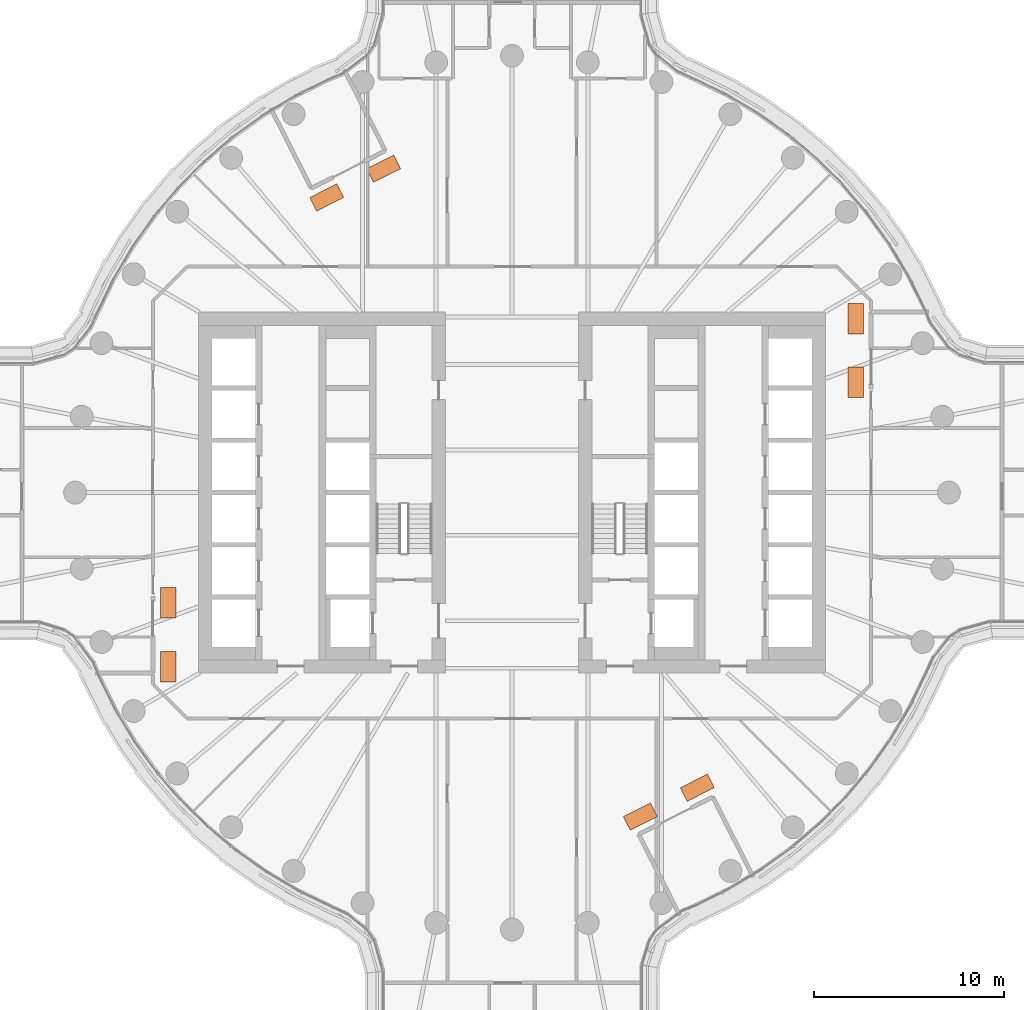
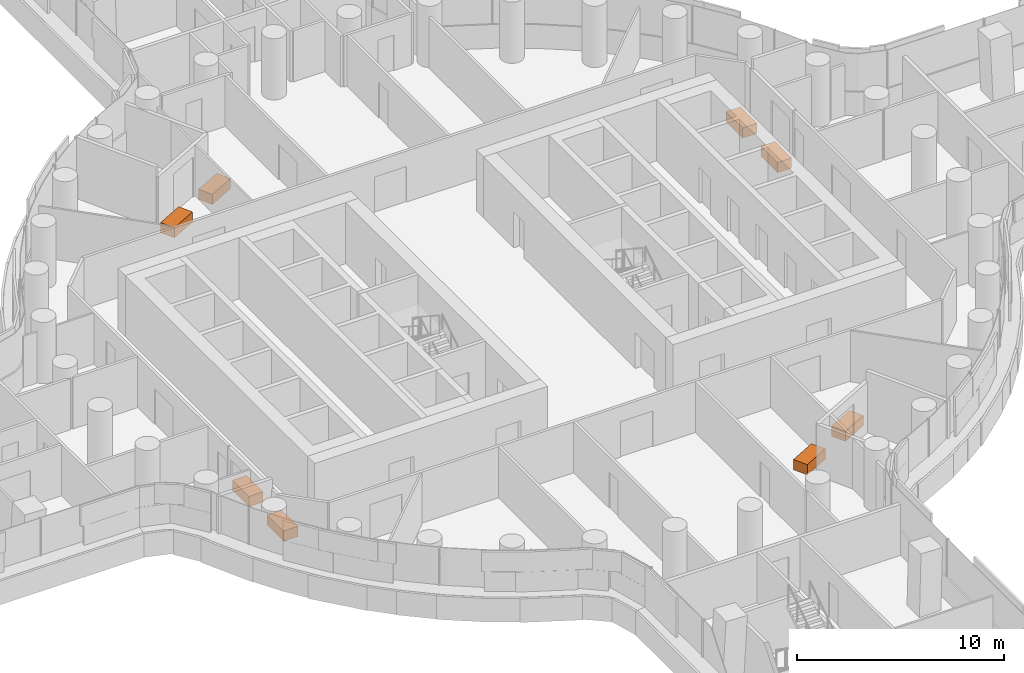
# One storey, part 32 of 32: 8 proxies.
"""IFC4 building model written with IfcOpenShell, lengths in metres."""

from ifc_helpers import new_model, si_unit, direction, frame, origin, origin_2d, place, context, subcontext, project, spatial, rectangle, extrude, material, type_object, element, save


model = new_model("IFC4")

# Units and contexts
model_context = context("Model", 3, precision=1e-05, world=origin(), true_north=direction((0.0, 1.0)))
body_context = subcontext(model_context, "Body", "Model", "MODEL_VIEW")
ifc_project = project(units=[si_unit("LENGTHUNIT", "METRE"), si_unit("AREAUNIT", "SQUARE_METRE"), si_unit("VOLUMEUNIT", "CUBIC_METRE"), si_unit("PLANEANGLEUNIT", "RADIAN"), si_unit("MASSUNIT", "GRAM", prefix="KILO")], contexts=[model_context])

# Site, building, storey
site_placement = place(None, origin())
site = spatial("IfcSite", under=ifc_project, at=site_placement, CompositionType="ELEMENT")
building_placement = place(site_placement, origin())
building = spatial("IfcBuilding", under=site, at=building_placement, Name="Tamarind Cross Interchange Tower", CompositionType="ELEMENT")
storey_placement = place(building_placement, frame((0.0, 0.0, 34.0)))
storey = spatial("IfcBuildingStorey", under=building, at=storey_placement, Name="L06", CompositionType="ELEMENT", Elevation=34.0)

# Proxies
ifc_material = material(Name="Concrete C30", Category="concrete")
building_element_proxy_type = type_object("IfcBuildingElementProxyType", Name="Planter", PredefinedType="USERDEFINED", material=ifc_material)
proxy_1_placement = place(storey_placement, origin())
element("IfcBuildingElementProxy", 1, at=proxy_1_placement, inside=storey, type_object=building_element_proxy_type, Name="PLT-L06-WG-L06-EN-0", ObjectType="Planter", PredefinedType="USERDEFINED", context=body_context, shape_type="SweptSolid", body=[
    extrude(rectangle(XDim=1.60009765625, YDim=0.800048828125, at=origin_2d()), frame((18.10009765625, 5.801513671875, 0.0), z_axis=(0.0, 0.0, 1.0), x_axis=(0.0, 1.0, 0.0)), (0.0, 0.0, 1.0), 0.60009765625),
])
proxy_2_placement = place(storey_placement, origin())
element("IfcBuildingElementProxy", 2, at=proxy_2_placement, inside=storey, type_object=building_element_proxy_type, Name="PLT-L06-WG-L06-EN-1", ObjectType="Planter", PredefinedType="USERDEFINED", context=body_context, shape_type="SweptSolid", body=[
    extrude(rectangle(XDim=1.60009765625, YDim=0.800048828125, at=origin_2d()), frame((18.10009765625, 9.161376953125, 0.0), z_axis=(0.0, 0.0, 1.0), x_axis=(0.0, 1.0, 0.0)), (0.0, 0.0, 1.0), 0.60009765625),
])
proxy_3_placement = place(storey_placement, origin())
element("IfcBuildingElementProxy", 3, at=proxy_3_placement, inside=storey, type_object=building_element_proxy_type, Name="PLT-L06-WG-L06-NW-0", ObjectType="Planter", PredefinedType="USERDEFINED", context=body_context, shape_type="SweptSolid", body=[
    extrude(rectangle(XDim=1.60009765625, YDim=0.800048828125, at=origin_2d()), frame((-6.757568359375, 17.052490234375, 0.0), z_axis=(0.0, 0.0, 1.0), x_axis=(-0.892223543134, -0.451594009125, 0.0)), (0.0, 0.0, 1.0), 0.60009765625),
])
proxy_4_placement = place(storey_placement, origin())
element("IfcBuildingElementProxy", 4, at=proxy_4_placement, inside=storey, type_object=building_element_proxy_type, Name="PLT-L06-WG-L06-NW-1", ObjectType="Planter", PredefinedType="USERDEFINED", context=body_context, shape_type="SweptSolid", body=[
    extrude(rectangle(XDim=1.60009765625, YDim=0.800048828125, at=origin_2d()), frame((-9.75537109375, 15.53515625, 0.0), z_axis=(0.0, 0.0, 1.0), x_axis=(-0.892223543134, -0.451594009125, 0.0)), (0.0, 0.0, 1.0), 0.60009765625),
])
proxy_5_placement = place(storey_placement, origin())
element("IfcBuildingElementProxy", 5, at=proxy_5_placement, inside=storey, type_object=building_element_proxy_type, Name="PLT-L06-WG-L06-SE-0", ObjectType="Planter", PredefinedType="USERDEFINED", context=body_context, shape_type="SweptSolid", body=[
    extrude(rectangle(XDim=1.60009765625, YDim=0.800048828125, at=origin_2d()), frame((6.757568359375, -17.052490234375, 0.0), z_axis=(0.0, 0.0, 1.0), x_axis=(0.892223543134, 0.451594009125, 0.0)), (0.0, 0.0, 1.0), 0.60009765625),
])
proxy_6_placement = place(storey_placement, origin())
element("IfcBuildingElementProxy", 6, at=proxy_6_placement, inside=storey, type_object=building_element_proxy_type, Name="PLT-L06-WG-L06-SE-1", ObjectType="Planter", PredefinedType="USERDEFINED", context=body_context, shape_type="SweptSolid", body=[
    extrude(rectangle(XDim=1.60009765625, YDim=0.800048828125, at=origin_2d()), frame((9.75537109375, -15.53515625, 0.0), z_axis=(0.0, 0.0, 1.0), x_axis=(0.892223543134, 0.451594009125, 0.0)), (0.0, 0.0, 1.0), 0.60009765625),
])
proxy_7_placement = place(storey_placement, origin())
element("IfcBuildingElementProxy", 7, at=proxy_7_placement, inside=storey, type_object=building_element_proxy_type, Name="PLT-L06-WG-L06-WS-0", ObjectType="Planter", PredefinedType="USERDEFINED", context=body_context, shape_type="SweptSolid", body=[
    extrude(rectangle(XDim=1.60009765625, YDim=0.800048828125, at=origin_2d()), frame((-18.10009765625, -5.801513671875, 0.0), z_axis=(0.0, 0.0, 1.0), x_axis=(0.0, -1.0, 0.0)), (0.0, 0.0, 1.0), 0.60009765625),
])
proxy_8_placement = place(storey_placement, origin())
element("IfcBuildingElementProxy", 8, at=proxy_8_placement, inside=storey, type_object=building_element_proxy_type, Name="PLT-L06-WG-L06-WS-1", ObjectType="Planter", PredefinedType="USERDEFINED", context=body_context, shape_type="SweptSolid", body=[
    extrude(rectangle(XDim=1.60009765625, YDim=0.800048828125, at=origin_2d()), frame((-18.10009765625, -9.161376953125, 0.0), z_axis=(0.0, 0.0, 1.0), x_axis=(0.0, -1.0, 0.0)), (0.0, 0.0, 1.0), 0.60009765625),
])

save(model, "model.ifc")
